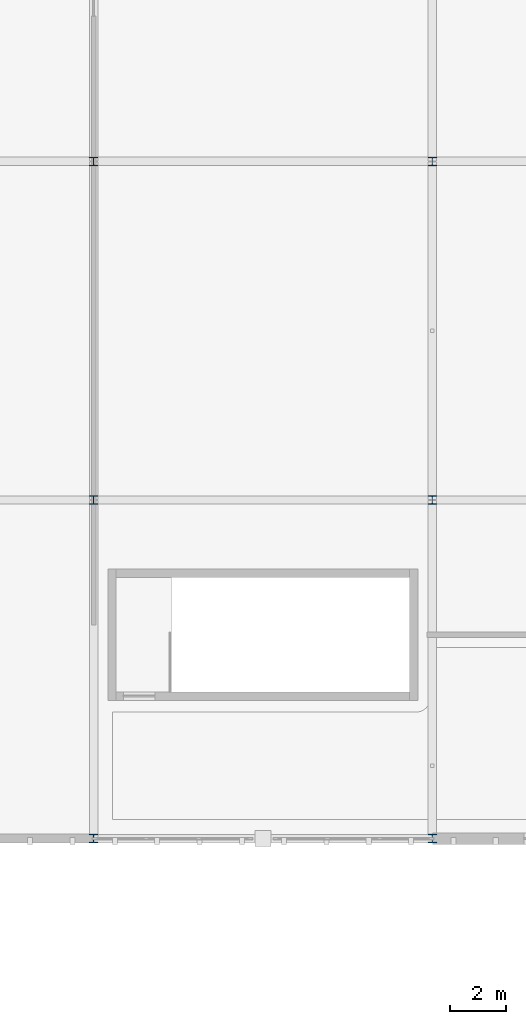
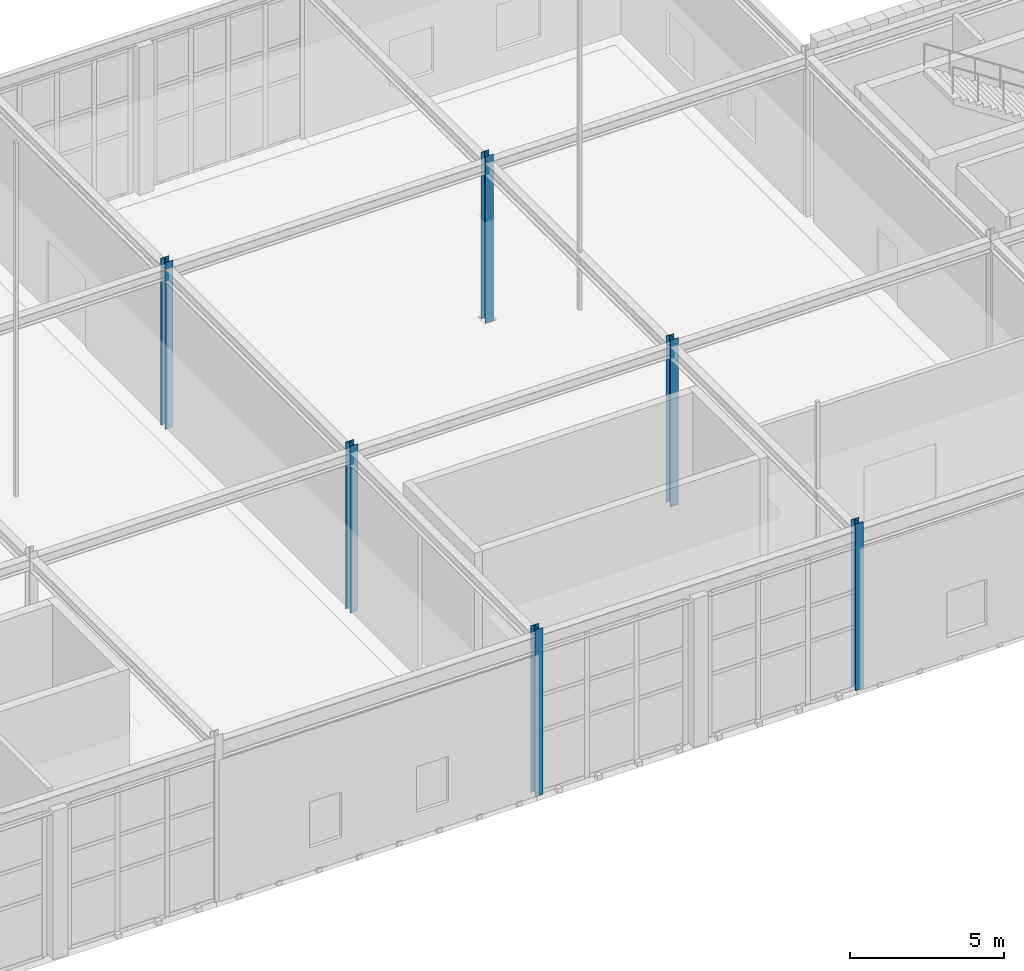
# One storey, part 4 of 62: 6 columns.
"""IFC4 building model written with IfcOpenShell, lengths in metres."""

from ifc_helpers import new_model, si_unit, direction, frame, origin, origin_2d, place, context, subcontext, project, spatial, i_section, extrude, material, material_profile, profile_set, type_object, element, save


model = new_model("IFC4")

# Units and contexts
model_context = context("Model", 3, precision=1e-05, world=origin(), true_north=direction((0.0, 1.0)))
body_context = subcontext(model_context, "Body", "Model", "MODEL_VIEW")
ifc_project = project(units=[si_unit("LENGTHUNIT", "METRE"), si_unit("AREAUNIT", "SQUARE_METRE"), si_unit("VOLUMEUNIT", "CUBIC_METRE"), si_unit("PLANEANGLEUNIT", "RADIAN"), si_unit("MASSUNIT", "GRAM", prefix="KILO")], contexts=[model_context])

# Site, building, storey
site_placement = place(None, origin())
site = spatial("IfcSite", under=ifc_project, at=site_placement, CompositionType="ELEMENT")
building_placement = place(site_placement, origin())
building = spatial("IfcBuilding", under=site, at=building_placement, Name="Zlatogorsky Bluff Art Gallery", CompositionType="ELEMENT")
storey_placement = place(building_placement, frame((0.0, 0.0, 16.800048828125)))
storey = spatial("IfcBuildingStorey", under=building, at=storey_placement, Name="L03", CompositionType="ELEMENT", Elevation=16.800048828125)

# Columns
ifc_material = material(Name="Steel S355", Category="steel")
ifc_material_profile = material_profile(ifc_material, i_section(OverallWidth=0.300048828125, OverallDepth=0.300048828125, WebThickness=0.010986328125, FlangeThickness=0.01904296875, FilletRadius=0.027099609375, at=origin_2d()), Name="HEB 300")
ifc_profile_set = profile_set([ifc_material_profile], Name="Steel S355")
column_type = type_object("IfcColumnType", Name="Column CL-06 HEB 300", PredefinedType="COLUMN", material=ifc_profile_set)
for number, where, z_axis, x_axis, name in (
    (1, (96.0, 84.0, 0.0), (0.0, 0.0, 1.0), (1.0, 0.0, 0.0), "Column CL-06 L03 J9"),
    (2, (96.0, 96.0, 0.0), (0.0, 0.0, 1.0), (1.0, 0.0, 0.0), "Column CL-06 L03 J10"),
    (3, (96.0, 108.0, 0.0), (0.0, 0.0, 1.0), (1.0, 0.0, 0.0), "Column CL-06 L03 J11"),
    (4, (108.0, 84.0, 0.0), (0.0, 0.0, 1.0), (1.0, 0.0, 0.0), "Column CL-06 L03 K9"),
    (5, (108.0, 96.0, 0.0), (0.0, 0.0, 1.0), (1.0, 0.0, 0.0), "Column CL-06 L03 K10"),
    (6, (108.0, 108.0, 0.0), (0.0, 0.0, 1.0), (1.0, 0.0, 0.0), "Column CL-06 L03 K11"),
):
    element("IfcColumn", number, at=place(storey_placement, frame(where, z_axis=z_axis, x_axis=x_axis)), inside=storey, type_object=column_type, Name=name, PredefinedType="COLUMN", context=body_context, shape_type="SweptSolid", body=[
        extrude(i_section(OverallWidth=0.300048828125, OverallDepth=0.300048828125, WebThickness=0.010986328125, FlangeThickness=0.01904296875, FilletRadius=0.027099609375, at=origin_2d()), origin(), (0.0, 0.0, 1.0), 6.599853515625),
    ])

save(model, "model.ifc")
